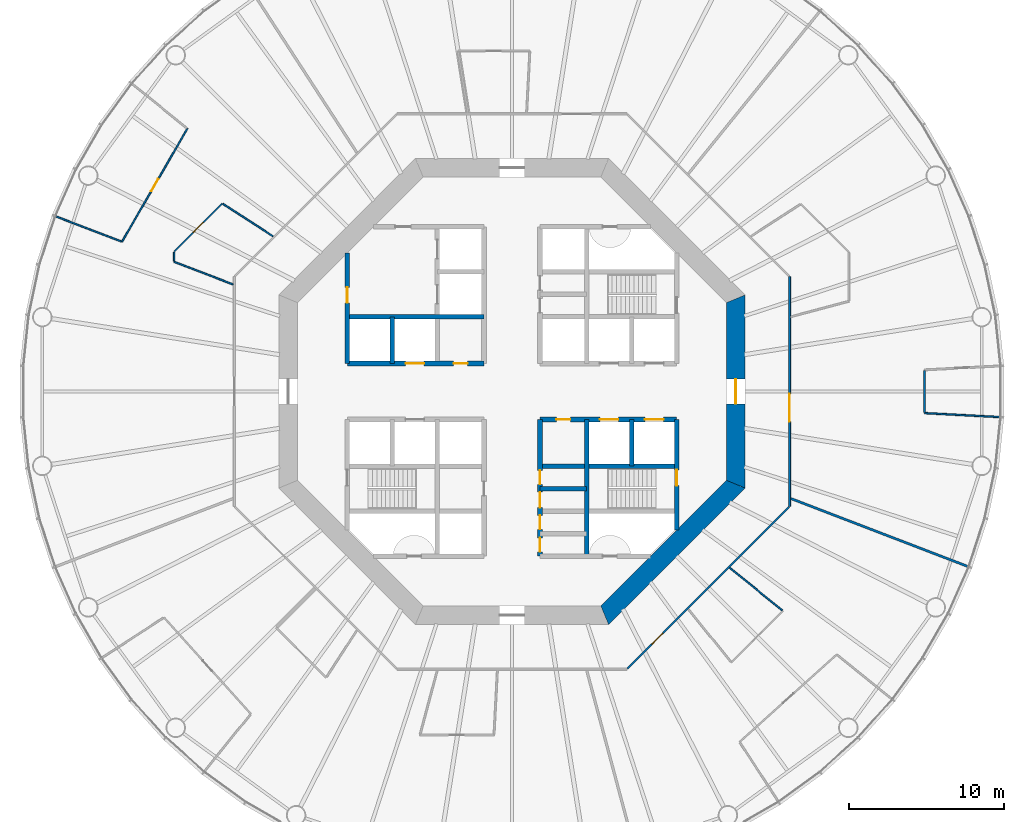
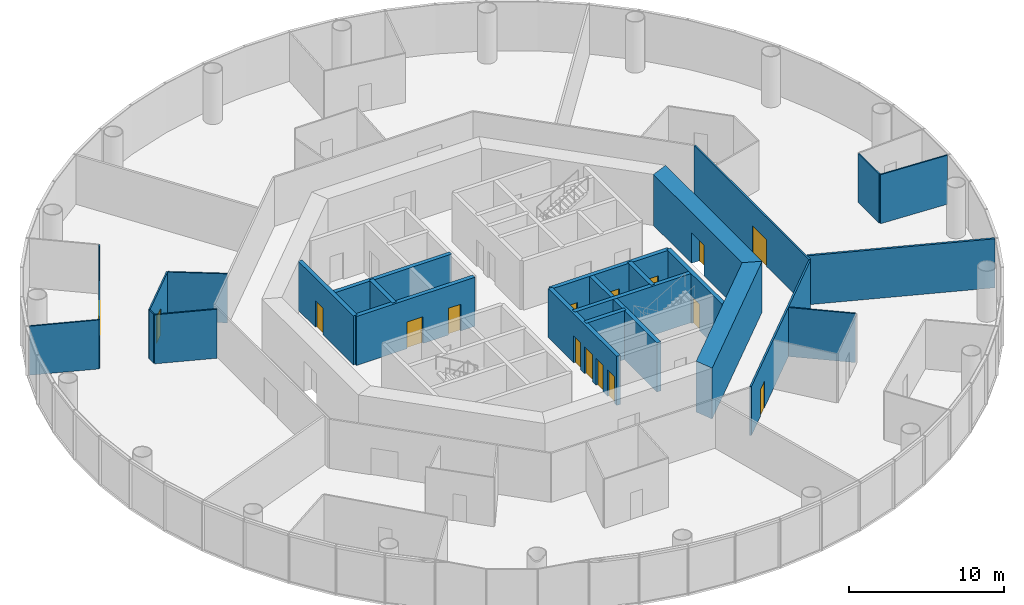
# One storey, part 4 of 13: 25 walls, 16 doors, 16 openings.
"""IFC4 building model written with IfcOpenShell, lengths in metres."""

import ifcopenshell
import ifcopenshell.guid

model = None  # the IFC model being written
_history = None  # IfcOwnerHistory: only IFC2X3 demands one
_inside = {}  # id of a spatial element -> (the spatial element, [elements in it])
_under = {}  # id of a project, library or spatial element -> (it, [spatial elements below it])
_declared = {}  # id of a project -> (the project, [libraries it declares])
_typed = {}  # id of a type object -> (the type object, [elements of that type])
_made_of = {}  # id of a material, layer set ... -> (it, [elements and type objects made of it])


def new_model(schema):
    """Start an empty IFC model of exactly this schema.

    Asked for "IFC4X3", IfcOpenShell would pick the latest addendum, in which some entities
    have other attributes; the version numbers below select the first issue.
    IFC2X3 requires an IfcOwnerHistory on every rooted entity: one is made here for all.
    """
    global model, _history
    if schema == "IFC4X3":
        model = ifcopenshell.file(schema_version=(4, 3, 0, 0))
    else:
        model = ifcopenshell.file(schema=schema)
    _inside.clear()
    _under.clear()
    _declared.clear()
    _typed.clear()
    _made_of.clear()
    _history = None
    if model.schema == "IFC2X3":
        org = make("IfcOrganization", Name="unknown")
        user = make(
            "IfcPersonAndOrganization",
            ThePerson=make("IfcPerson", FamilyName="unknown"),
            TheOrganization=org,
        )
        app = make(
            "IfcApplication",
            ApplicationDeveloper=org,
            Version="unknown",
            ApplicationFullName="unknown",
            ApplicationIdentifier="unknown",
        )
        _history = make(
            "IfcOwnerHistory",
            OwningUser=user,
            OwningApplication=app,
            ChangeAction="ADDED",
            CreationDate=0,
        )
    return model


def make(cls, **values):
    """One entity of the class cls with the attributes given. An attribute that is None is left unset."""
    return model.create_entity(
        cls, **{name: value for name, value in values.items() if value is not None}
    )


def rooted(cls, **values):
    """An entity with a GlobalId (a new one), such as an element, a storey or a relation."""
    return make(cls, GlobalId=ifcopenshell.guid.new(), OwnerHistory=_history, **values)


def si_unit(unit_type, name, prefix=None):
    """IfcSIUnit, for example si_unit("LENGTHUNIT", "METRE", prefix="MILLI")."""
    return make("IfcSIUnit", UnitType=unit_type, Prefix=prefix, Name=name)


def assignment(units):
    """IfcUnitAssignment: the units of a project."""
    return None if units is None else make("IfcUnitAssignment", Units=units)


def point(xyz):
    """IfcCartesianPoint."""
    return None if xyz is None else make("IfcCartesianPoint", Coordinates=xyz)


def direction(xyz):
    """IfcDirection."""
    return None if xyz is None else make("IfcDirection", DirectionRatios=xyz)


def frame(location, z_axis=None, x_axis=None):
    """IfcAxis2Placement3D, a coordinate frame: its origin and axes. An axis left out is left unset."""
    return make(
        "IfcAxis2Placement3D",
        Location=point(location),
        Axis=direction(z_axis),
        RefDirection=direction(x_axis),
    )


def frame_2d(location, x_axis=None):
    """IfcAxis2Placement2D, a coordinate frame in the plane: its origin and x axis."""
    return make(
        "IfcAxis2Placement2D", Location=point(location), RefDirection=direction(x_axis)
    )


def origin():
    """The frame at (0, 0, 0) with its axes left unset."""
    return frame((0.0, 0.0, 0.0))


def place(relative_to, where):
    """IfcLocalPlacement: puts the frame where relative to a parent placement (None: the world)."""
    return make(
        "IfcLocalPlacement", PlacementRelTo=relative_to, RelativePlacement=where
    )


def context(
    kind, dimensions, precision=None, world=None, true_north=None, identifier=None
):
    """IfcGeometricRepresentationContext, for example the 3D "Model" context."""
    return make(
        "IfcGeometricRepresentationContext",
        ContextIdentifier=identifier,
        ContextType=kind,
        CoordinateSpaceDimension=dimensions,
        Precision=precision,
        WorldCoordinateSystem=world,
        TrueNorth=true_north,
    )


def subcontext(parent, identifier, kind, view, scale=None):
    """IfcGeometricRepresentationSubContext, for example "Body" below "Model"."""
    return make(
        "IfcGeometricRepresentationSubContext",
        ContextIdentifier=identifier,
        ContextType=kind,
        ParentContext=parent,
        TargetScale=scale,
        TargetView=view,
    )


def project(units=None, contexts=None):
    """IfcProject with its units and contexts."""
    return rooted(
        "IfcProject",
        Name="project",
        RepresentationContexts=contexts,
        UnitsInContext=assignment(units),
    )


def spatial(cls, under=None, at=None, **own):
    """A site, building, storey or space (cls), placed at a placement, below another one or the project."""
    s = rooted(cls, ObjectPlacement=at, **own)
    if under is not None:
        _under.setdefault(under.id(), (under, []))[1].append(s)
    return s


def polyline(points):
    """IfcPolyline through the points."""
    return make("IfcPolyline", Points=[point(p) for p in points])


def profile(cls, at=None, kind="AREA", **sizes):
    """A parametric profile (cls). Its sizes go by their IFC names, for example OverallWidth=200.0."""
    return make(cls, ProfileType=kind, Position=at, **sizes)


def rectangle(**sizes):
    """IfcRectangleProfileDef."""
    return profile("IfcRectangleProfileDef", **sizes)


def outline(outer, holes=None, kind="AREA"):
    """IfcArbitraryClosedProfileDef: a profile drawn as a closed curve; with holes, ...WithVoids."""
    if holes is None:
        return make("IfcArbitraryClosedProfileDef", ProfileType=kind, OuterCurve=outer)
    return make(
        "IfcArbitraryProfileDefWithVoids",
        ProfileType=kind,
        OuterCurve=outer,
        InnerCurves=holes,
    )


def extrude(swept, where, along, depth):
    """IfcExtrudedAreaSolid: the profile swept, set in the frame where, extruded along a direction by depth."""
    return make(
        "IfcExtrudedAreaSolid",
        SweptArea=swept,
        Position=where,
        ExtrudedDirection=direction(along),
        Depth=depth,
    )


def shape(context_of_items, identifier, shape_type, items):
    """IfcShapeRepresentation: the items that make up one representation, for example the "Body"."""
    return make(
        "IfcShapeRepresentation",
        ContextOfItems=context_of_items,
        RepresentationIdentifier=identifier,
        RepresentationType=shape_type,
        Items=items,
    )


def material(Name=None, Category=None):
    """IfcMaterial."""
    return make("IfcMaterial", Name=Name, Category=Category)


def layer(
    of_material, thickness, ventilated=None, Name=None, Category=None, Priority=None
):
    """IfcMaterialLayer: one layer of a wall or slab, of a material (None: an air gap)."""
    return make(
        "IfcMaterialLayer",
        Material=of_material,
        LayerThickness=thickness,
        IsVentilated=ventilated,
        Name=Name,
        Category=Category,
        Priority=Priority,
    )


def layer_set(layers, Name=None):
    """IfcMaterialLayerSet."""
    return make("IfcMaterialLayerSet", MaterialLayers=layers, LayerSetName=Name)


def made_of(thing, what):
    """Note that an element or type object is made of a material, layer set ...; save() writes the relation."""
    if what is not None:
        _made_of.setdefault(what.id(), (what, []))[1].append(thing)
    return thing


def type_object(cls, material=None, **own):
    """A type object (cls), such as IfcWallType, which elements share."""
    return made_of(rooted(cls, **own), material)


def element(
    cls,
    number,
    at=None,
    inside=None,
    cuts=None,
    type_object=None,
    material=None,
    context=None,
    identifier="Body",
    shape_type=None,
    held_by="IfcProductDefinitionShape",
    body=None,
    shapes=None,
    **own,
):
    """One element of the class cls, such as IfcWall. Its Tag is "e" and its number.

    at: its placement. inside: the storey or other place that contains it. cuts: it is an
    opening in that element (IfcRelVoidsElement). A single representation is given by context,
    identifier, shape_type and body (its items); several are given by shapes. held_by: the class
    of the entity that holds the representations. save() writes the other relations.
    """
    e = rooted(cls, Tag="e%d" % number, ObjectPlacement=at, **own)
    if body is not None:
        shapes = [shape(context, identifier, shape_type, body)]
    if shapes is not None:
        e.Representation = make(held_by, Representations=shapes)
    if inside is not None:
        _inside.setdefault(inside.id(), (inside, []))[1].append(e)
    if cuts is not None:
        rooted(
            "IfcRelVoidsElement", RelatingBuildingElement=cuts, RelatedOpeningElement=e
        )
    if type_object is not None:
        _typed.setdefault(type_object.id(), (type_object, []))[1].append(e)
    return made_of(e, material)


def fill(opening, filler):
    """IfcRelFillsElement: the door or window that sits in an opening."""
    return rooted(
        "IfcRelFillsElement",
        RelatingOpeningElement=opening,
        RelatedBuildingElement=filler,
    )


def aggregate(whole, parts):
    """IfcRelAggregates: a whole, such as a stair, and the parts it consists of."""
    return rooted("IfcRelAggregates", RelatingObject=whole, RelatedObjects=parts)


def save(model, path):
    """Write the relations noted so far, then the file.

    IfcRelAggregates (storeys below a building ...), IfcRelContainedInSpatialStructure (elements
    in a storey), IfcRelDefinesByType, IfcRelAssociatesMaterial and IfcRelDeclares: one each for
    every whole, place, type object, material and project.
    """
    for whole, parts in _under.values():
        aggregate(whole, parts)
    for where, things in _inside.values():
        rooted(
            "IfcRelContainedInSpatialStructure",
            RelatedElements=things,
            RelatingStructure=where,
        )
    for kind, things in _typed.values():
        rooted("IfcRelDefinesByType", RelatedObjects=things, RelatingType=kind)
    for what, things in _made_of.values():
        rooted("IfcRelAssociatesMaterial", RelatedObjects=things, RelatingMaterial=what)
    for by, libraries in _declared.values():
        rooted("IfcRelDeclares", RelatingContext=by, RelatedDefinitions=libraries)
    model.write(path)


model = new_model("IFC4")

# Units and contexts
model_context = context("Model", 3, precision=1e-05, world=origin(), true_north=direction((0.0, 1.0)))
body_context = subcontext(model_context, "Body", "Model", "MODEL_VIEW")
ifc_project = project(units=[si_unit("LENGTHUNIT", "METRE"), si_unit("AREAUNIT", "SQUARE_METRE"), si_unit("VOLUMEUNIT", "CUBIC_METRE"), si_unit("PLANEANGLEUNIT", "RADIAN"), si_unit("MASSUNIT", "GRAM", prefix="KILO")], contexts=[model_context])

# Site, building, storey
site_placement = place(None, origin())
site = spatial("IfcSite", under=ifc_project, at=site_placement, CompositionType="ELEMENT")
building_placement = place(site_placement, origin())
building = spatial("IfcBuilding", under=site, at=building_placement, Name="Entoto Ring Tower", CompositionType="ELEMENT")
storey_placement = place(building_placement, frame((0.0, 0.0, 120.0)))
storey = spatial("IfcBuildingStorey", under=building, at=storey_placement, Name="L27", CompositionType="ELEMENT", Elevation=120.0)

# Wall, opening, door
ifc_material_1 = material(Name="Concrete C40/50", Category="concrete")
ifc_layer_1 = layer(ifc_material_1, 0.300048828125)
ifc_layer_set_1 = layer_set([ifc_layer_1], Name="Concrete C40/50")
wall_type_1 = type_object("IfcWallType", Name="Core enclosure wall 300 mm reinforced concrete", PredefinedType="SOLIDWALL", material=ifc_layer_set_1)
wall_1_placement = place(storey_placement, frame((100.60009765625, 71.083984375, 0.0), z_axis=(0.0, 0.0, 1.0), x_axis=(0.0, 1.0, 0.0)))
wall_1 = element("IfcWall", 1, at=wall_1_placement, inside=storey, type_object=wall_type_1, Name="wall-L27-001", PredefinedType="SOLIDWALL", context=body_context, shape_type="SweptSolid", body=[
    extrude(rectangle(XDim=7.115966796875, YDim=0.300048828125, at=frame_2d((3.55810546875, 0.0))), origin(), (0.0, 0.0, 1.0), 3.85009765625),
])
opening_1_placement = place(wall_1_placement, frame((2.8662109375, 0.0, 0.0)))
opening_1 = element("IfcOpeningElement", 2, at=opening_1_placement, cuts=wall_1, Name="Opening K-22", PredefinedType="OPENING", context=body_context, shape_type="SweptSolid", body=[
    extrude(rectangle(XDim=1.0, YDim=2.10009765625, at=frame_2d((0.5, 1.050048828125))), frame((0.0, 0.16015625, 0.0), z_axis=(0.0, -1.0, 0.0), x_axis=(1.0, 0.0, 0.0)), (0.0, 0.0, 1.0), 0.320068359375),
])
ifc_material_2 = material(Name="Steel door leaf, fire rated", Category="steel")
ifc_layer_2 = layer(ifc_material_2, 0.050048828125)
ifc_layer_set_2 = layer_set([ifc_layer_2], Name="Steel door leaf, fire rated")
door_type_1 = type_object("IfcDoorType", Name="Fire door FD60 1000 x 2100 single leaf", OperationType="NOTDEFINED", PredefinedType="DOOR", material=ifc_layer_set_2)
door_1_placement = place(opening_1_placement, origin())
door_1 = element("IfcDoor", 3, at=door_1_placement, inside=storey, type_object=door_type_1, Name="Door K-22", OperationType="SINGLE_SWING_RIGHT", OverallHeight=2.10009765625, OverallWidth=1.0, PredefinedType="DOOR", context=body_context, shape_type="SweptSolid", body=[
    extrude(rectangle(XDim=1.0, YDim=2.10009765625, at=frame_2d((0.5, 1.050048828125))), frame((0.0, 0.02490234375, 0.0), z_axis=(0.0, -1.0, 0.0), x_axis=(1.0, 0.0, 0.0)), (0.0, 0.0, 1.0), 0.050048828125),
])
fill(opening_1, door_1)

# Walls
wall_2_placement = place(storey_placement, frame((97.699951171875, 75.199951171875, 0.0), z_axis=(0.0, 0.0, 1.0), x_axis=(0.0, 1.0, 0.0)))
element("IfcWall", 4, at=wall_2_placement, inside=storey, type_object=wall_type_1, Name="wall-L27-003", PredefinedType="SOLIDWALL", context=body_context, shape_type="SweptSolid", body=[
    extrude(rectangle(XDim=3.0, YDim=0.300048828125, at=frame_2d((1.5, 0.0))), origin(), (0.0, 0.0, 1.0), 3.85009765625),
])
wall_3_placement = place(storey_placement, frame((94.800048828125, 69.39990234375, 0.0), z_axis=(0.0, 0.0, 1.0), x_axis=(0.0, 1.0, 0.0)))
element("IfcWall", 5, at=wall_3_placement, inside=storey, type_object=wall_type_1, Name="wall-L27-005", PredefinedType="SOLIDWALL", context=body_context, shape_type="SweptSolid", body=[
    extrude(rectangle(XDim=8.800048828125, YDim=0.300048828125, at=frame_2d((4.39990234375, 0.0))), origin(), (0.0, 0.0, 1.0), 3.85009765625),
])

# Wall, openings, doors
wall_4_placement = place(storey_placement, frame((91.800048828125, 69.39990234375, 0.0), z_axis=(0.0, 0.0, 1.0), x_axis=(0.0, 1.0, 0.0)))
wall_4 = element("IfcWall", 6, at=wall_4_placement, inside=storey, type_object=wall_type_1, Name="wall-L27-007", PredefinedType="SOLIDWALL", context=body_context, shape_type="SweptSolid", body=[
    extrude(rectangle(XDim=8.800048828125, YDim=0.300048828125, at=frame_2d((4.39990234375, 0.0))), origin(), (0.0, 0.0, 1.0), 3.85009765625),
])
opening_2_placement = place(wall_4_placement, frame((3.125, 0.0, 0.0)))
opening_2 = element("IfcOpeningElement", 7, at=opening_2_placement, cuts=wall_4, Name="Opening K-13", PredefinedType="OPENING", context=body_context, shape_type="SweptSolid", body=[
    extrude(rectangle(XDim=1.0, YDim=2.10009765625, at=frame_2d((0.5, 1.050048828125))), frame((0.0, 0.16015625, 0.0), z_axis=(0.0, -1.0, 0.0), x_axis=(1.0, 0.0, 0.0)), (0.0, 0.0, 1.0), 0.320068359375),
])
opening_3_placement = place(wall_4_placement, frame((4.625, 0.0, 0.0)))
opening_3 = element("IfcOpeningElement", 8, at=opening_3_placement, cuts=wall_4, Name="Opening K-14", PredefinedType="OPENING", context=body_context, shape_type="SweptSolid", body=[
    extrude(rectangle(XDim=0.89990234375, YDim=2.10009765625, at=frame_2d((0.449951171875, 1.050048828125))), frame((0.0, 0.16015625, 0.0), z_axis=(0.0, -1.0, 0.0), x_axis=(1.0, 0.0, 0.0)), (0.0, 0.0, 1.0), 0.320068359375),
])
opening_4_placement = place(wall_4_placement, frame((0.27490234375, 0.0, 0.0)))
opening_4 = element("IfcOpeningElement", 9, at=opening_4_placement, cuts=wall_4, Name="Opening K-15", PredefinedType="OPENING", context=body_context, shape_type="SweptSolid", body=[
    extrude(rectangle(XDim=0.89990234375, YDim=2.10009765625, at=frame_2d((0.449951171875, 1.050048828125))), frame((0.0, 0.16015625, 0.0), z_axis=(0.0, -1.0, 0.0), x_axis=(1.0, 0.0, 0.0)), (0.0, 0.0, 1.0), 0.320068359375),
])
opening_5_placement = place(wall_4_placement, frame((1.72509765625, 0.0, 0.0)))
opening_5 = element("IfcOpeningElement", 10, at=opening_5_placement, cuts=wall_4, Name="Opening K-16", PredefinedType="OPENING", context=body_context, shape_type="SweptSolid", body=[
    extrude(rectangle(XDim=0.89990234375, YDim=2.10009765625, at=frame_2d((0.449951171875, 1.050048828125))), frame((0.0, 0.16015625, 0.0), z_axis=(0.0, -1.0, 0.0), x_axis=(1.0, 0.0, 0.0)), (0.0, 0.0, 1.0), 0.320068359375),
])
ifc_material_3 = material(Name="Steel door leaf, fire rated", Category="steel")
ifc_layer_3 = layer(ifc_material_3, 0.050048828125)
ifc_layer_set_3 = layer_set([ifc_layer_3], Name="Steel door leaf, fire rated")
door_type_2 = type_object("IfcDoorType", Name="Accessible door 1000 x 2100 single leaf", OperationType="NOTDEFINED", PredefinedType="DOOR", material=ifc_layer_set_3)
door_2_placement = place(opening_2_placement, frame((1.0, 0.0, 0.0), z_axis=(0.0, 0.0, 1.0), x_axis=(-1.0, 0.0, 0.0)))
door_2 = element("IfcDoor", 11, at=door_2_placement, inside=storey, type_object=door_type_2, Name="Door K-13", OperationType="SINGLE_SWING_LEFT", OverallHeight=2.10009765625, OverallWidth=1.0, PredefinedType="DOOR", context=body_context, shape_type="SweptSolid", body=[
    extrude(rectangle(XDim=1.0, YDim=2.10009765625, at=frame_2d((0.5, 1.050048828125))), frame((0.0, 0.02490234375, 0.0), z_axis=(0.0, -1.0, 0.0), x_axis=(1.0, 0.0, 0.0)), (0.0, 0.0, 1.0), 0.050048828125),
])
fill(opening_2, door_2)
ifc_material_4 = material(Name="Steel door leaf, fire rated", Category="steel")
ifc_layer_4 = layer(ifc_material_4, 0.050048828125)
ifc_layer_set_4 = layer_set([ifc_layer_4], Name="Steel door leaf, fire rated")
door_type_3 = type_object("IfcDoorType", Name="Core door 900 x 2100 single leaf", OperationType="NOTDEFINED", PredefinedType="DOOR", material=ifc_layer_set_4)
door_3_placement = place(opening_3_placement, frame((0.89990234375, 0.0, 0.0), z_axis=(0.0, 0.0, 1.0), x_axis=(-1.0, 0.0, 0.0)))
door_3 = element("IfcDoor", 12, at=door_3_placement, inside=storey, type_object=door_type_3, Name="Door K-14", OperationType="SINGLE_SWING_LEFT", OverallHeight=2.10009765625, OverallWidth=0.89990234375, PredefinedType="DOOR", context=body_context, shape_type="SweptSolid", body=[
    extrude(rectangle(XDim=0.89990234375, YDim=2.10009765625, at=frame_2d((0.449951171875, 1.050048828125))), frame((0.0, 0.02490234375, 0.0), z_axis=(0.0, -1.0, 0.0), x_axis=(1.0, 0.0, 0.0)), (0.0, 0.0, 1.0), 0.050048828125),
])
fill(opening_3, door_3)
door_4_placement = place(opening_4_placement, frame((0.89990234375, 0.0, 0.0), z_axis=(0.0, 0.0, 1.0), x_axis=(-1.0, 0.0, 0.0)))
door_4 = element("IfcDoor", 13, at=door_4_placement, inside=storey, type_object=door_type_3, Name="Door K-15", OperationType="SINGLE_SWING_LEFT", OverallHeight=2.10009765625, OverallWidth=0.89990234375, PredefinedType="DOOR", context=body_context, shape_type="SweptSolid", body=[
    extrude(rectangle(XDim=0.89990234375, YDim=2.10009765625, at=frame_2d((0.449951171875, 1.050048828125))), frame((0.0, 0.02490234375, 0.0), z_axis=(0.0, -1.0, 0.0), x_axis=(1.0, 0.0, 0.0)), (0.0, 0.0, 1.0), 0.050048828125),
])
fill(opening_4, door_4)
door_5_placement = place(opening_5_placement, frame((0.89990234375, 0.0, 0.0), z_axis=(0.0, 0.0, 1.0), x_axis=(-1.0, 0.0, 0.0)))
door_5 = element("IfcDoor", 14, at=door_5_placement, inside=storey, type_object=door_type_3, Name="Door K-16", OperationType="SINGLE_SWING_LEFT", OverallHeight=2.10009765625, OverallWidth=0.89990234375, PredefinedType="DOOR", context=body_context, shape_type="SweptSolid", body=[
    extrude(rectangle(XDim=0.89990234375, YDim=2.10009765625, at=frame_2d((0.449951171875, 1.050048828125))), frame((0.0, 0.02490234375, 0.0), z_axis=(0.0, -1.0, 0.0), x_axis=(1.0, 0.0, 0.0)), (0.0, 0.0, 1.0), 0.050048828125),
])
fill(opening_5, door_5)

# Wall
wall_5_placement = place(storey_placement, frame((82.300048828125, 81.800048828125, 0.0), z_axis=(0.0, 0.0, 1.0), x_axis=(0.0, 1.0, 0.0)))
element("IfcWall", 15, at=wall_5_placement, inside=storey, type_object=wall_type_1, Name="wall-L27-014", PredefinedType="SOLIDWALL", context=body_context, shape_type="SweptSolid", body=[
    extrude(rectangle(XDim=3.0, YDim=0.300048828125, at=frame_2d((1.5, 0.0))), origin(), (0.0, 0.0, 1.0), 3.85009765625),
])

# Wall, opening, door
wall_6_placement = place(storey_placement, frame((79.39990234375, 81.800048828125, 0.0), z_axis=(0.0, 0.0, 1.0), x_axis=(0.0, 1.0, 0.0)))
wall_6 = element("IfcWall", 16, at=wall_6_placement, inside=storey, type_object=wall_type_1, Name="wall-L27-016", PredefinedType="SOLIDWALL", context=body_context, shape_type="SweptSolid", body=[
    extrude(rectangle(XDim=7.115966796875, YDim=0.300048828125, at=frame_2d((3.55810546875, 0.0))), origin(), (0.0, 0.0, 1.0), 3.85009765625),
])
opening_6_placement = place(wall_6_placement, frame((3.89990234375, 0.0, 0.0)))
opening_6 = element("IfcOpeningElement", 17, at=opening_6_placement, cuts=wall_6, Name="Opening K-26", PredefinedType="OPENING", context=body_context, shape_type="SweptSolid", body=[
    extrude(rectangle(XDim=1.0, YDim=2.10009765625, at=frame_2d((0.5, 1.050048828125))), frame((0.0, 0.16015625, 0.0), z_axis=(0.0, -1.0, 0.0), x_axis=(1.0, 0.0, 0.0)), (0.0, 0.0, 1.0), 0.320068359375),
])
door_6_placement = place(opening_6_placement, frame((1.0, 0.0, 0.0), z_axis=(0.0, 0.0, 1.0), x_axis=(-1.0, 0.0, 0.0)))
door_6 = element("IfcDoor", 18, at=door_6_placement, inside=storey, type_object=door_type_1, Name="Door K-26", OperationType="SINGLE_SWING_LEFT", OverallHeight=2.10009765625, OverallWidth=1.0, PredefinedType="DOOR", context=body_context, shape_type="SweptSolid", body=[
    extrude(rectangle(XDim=1.0, YDim=2.10009765625, at=frame_2d((0.5, 1.050048828125))), frame((0.0, 0.02490234375, 0.0), z_axis=(0.0, -1.0, 0.0), x_axis=(1.0, 0.0, 0.0)), (0.0, 0.0, 1.0), 0.050048828125),
])
fill(opening_6, door_6)

# Walls
wall_7_placement = place(storey_placement, frame((91.800048828125, 73.75, 0.0), z_axis=(0.0, 0.0, 1.0), x_axis=(1.0, 0.0, 0.0)))
element("IfcWall", 19, at=wall_7_placement, inside=storey, type_object=wall_type_1, Name="wall-L27-022", PredefinedType="SOLIDWALL", context=body_context, shape_type="SweptSolid", body=[
    extrude(rectangle(XDim=3.0, YDim=0.300048828125, at=frame_2d((1.5, 0.0))), origin(), (0.0, 0.0, 1.0), 3.85009765625),
])
wall_8_placement = place(storey_placement, frame((91.800048828125, 75.199951171875, 0.0), z_axis=(0.0, 0.0, 1.0), x_axis=(1.0, 0.0, 0.0)))
element("IfcWall", 20, at=wall_8_placement, inside=storey, type_object=wall_type_1, Name="wall-L27-024", PredefinedType="SOLIDWALL", context=body_context, shape_type="SweptSolid", body=[
    extrude(rectangle(XDim=8.800048828125, YDim=0.300048828125, at=frame_2d((4.39990234375, 0.0))), origin(), (0.0, 0.0, 1.0), 3.85009765625),
])

# Wall, openings, doors
wall_9_placement = place(storey_placement, frame((91.800048828125, 78.199951171875, 0.0), z_axis=(0.0, 0.0, 1.0), x_axis=(1.0, 0.0, 0.0)))
wall_9 = element("IfcWall", 21, at=wall_9_placement, inside=storey, type_object=wall_type_1, Name="wall-L27-026", PredefinedType="SOLIDWALL", context=body_context, shape_type="SweptSolid", body=[
    extrude(rectangle(XDim=8.800048828125, YDim=0.300048828125, at=frame_2d((4.39990234375, 0.0))), origin(), (0.0, 0.0, 1.0), 3.85009765625),
])
opening_7_placement = place(wall_9_placement, frame((3.85009765625, 0.0, 0.0)))
opening_7 = element("IfcOpeningElement", 22, at=opening_7_placement, cuts=wall_9, Name="Opening LD", PredefinedType="OPENING", context=body_context, shape_type="SweptSolid", body=[
    extrude(rectangle(XDim=1.199951171875, YDim=2.10009765625, at=frame_2d((0.60009765625, 1.050048828125))), frame((0.0, 0.16015625, 0.0), z_axis=(0.0, -1.0, 0.0), x_axis=(1.0, 0.0, 0.0)), (0.0, 0.0, 1.0), 0.320068359375),
])
opening_8_placement = place(wall_9_placement, frame((6.75, 0.0, 0.0)))
opening_8 = element("IfcOpeningElement", 23, at=opening_8_placement, cuts=wall_9, Name="Opening LD", PredefinedType="OPENING", context=body_context, shape_type="SweptSolid", body=[
    extrude(rectangle(XDim=1.199951171875, YDim=2.10009765625, at=frame_2d((0.60009765625, 1.050048828125))), frame((0.0, 0.16015625, 0.0), z_axis=(0.0, -1.0, 0.0), x_axis=(1.0, 0.0, 0.0)), (0.0, 0.0, 1.0), 0.320068359375),
])
opening_9_placement = place(wall_9_placement, frame((1.050048828125, 0.0, 0.0)))
opening_9 = element("IfcOpeningElement", 24, at=opening_9_placement, cuts=wall_9, Name="Opening K-19", PredefinedType="OPENING", context=body_context, shape_type="SweptSolid", body=[
    extrude(rectangle(XDim=0.89990234375, YDim=2.10009765625, at=frame_2d((0.449951171875, 1.050048828125))), frame((0.0, 0.16015625, 0.0), z_axis=(0.0, -1.0, 0.0), x_axis=(1.0, 0.0, 0.0)), (0.0, 0.0, 1.0), 0.320068359375),
])
door_7_placement = place(opening_9_placement, frame((0.89990234375, 0.0, 0.0), z_axis=(0.0, 0.0, 1.0), x_axis=(-1.0, 0.0, 0.0)))
door_7 = element("IfcDoor", 25, at=door_7_placement, inside=storey, type_object=door_type_3, Name="Door K-19", OperationType="SINGLE_SWING_RIGHT", OverallHeight=2.10009765625, OverallWidth=0.89990234375, PredefinedType="DOOR", context=body_context, shape_type="SweptSolid", body=[
    extrude(rectangle(XDim=0.89990234375, YDim=2.10009765625, at=frame_2d((0.449951171875, 1.050048828125))), frame((0.0, 0.02490234375, 0.0), z_axis=(0.0, -1.0, 0.0), x_axis=(1.0, 0.0, 0.0)), (0.0, 0.0, 1.0), 0.050048828125),
])
fill(opening_9, door_7)
ifc_material_5 = material(Name="Steel and glass door leaf", Category="steel")
ifc_layer_5 = layer(ifc_material_5, 0.050048828125)
ifc_layer_set_5 = layer_set([ifc_layer_5], Name="Steel and glass door leaf")
door_type_4 = type_object("IfcDoorType", Name="Landing door 1200 x 2100 sliding", OperationType="DOUBLE_DOOR_SLIDING", PredefinedType="DOOR", material=ifc_layer_set_5)
door_8_placement = place(opening_7_placement, origin())
door_8 = element("IfcDoor", 26, at=door_8_placement, inside=storey, type_object=door_type_4, Name="Landing door LB4-LR", OperationType="SLIDING_TO_RIGHT", OverallHeight=2.10009765625, OverallWidth=1.199951171875, PredefinedType="DOOR", context=body_context, shape_type="SweptSolid", body=[
    extrude(rectangle(XDim=1.199951171875, YDim=2.10009765625, at=frame_2d((0.60009765625, 1.050048828125))), frame((0.0, 0.02490234375, 0.0), z_axis=(0.0, -1.0, 0.0), x_axis=(1.0, 0.0, 0.0)), (0.0, 0.0, 1.0), 0.050048828125),
])
fill(opening_7, door_8)
door_9_placement = place(opening_8_placement, origin())
door_9 = element("IfcDoor", 27, at=door_9_placement, inside=storey, type_object=door_type_4, Name="Landing door LB5-LR", OperationType="SLIDING_TO_RIGHT", OverallHeight=2.10009765625, OverallWidth=1.199951171875, PredefinedType="DOOR", context=body_context, shape_type="SweptSolid", body=[
    extrude(rectangle(XDim=1.199951171875, YDim=2.10009765625, at=frame_2d((0.60009765625, 1.050048828125))), frame((0.0, 0.02490234375, 0.0), z_axis=(0.0, -1.0, 0.0), x_axis=(1.0, 0.0, 0.0)), (0.0, 0.0, 1.0), 0.050048828125),
])
fill(opening_8, door_9)

wall_10_placement = place(storey_placement, frame((79.39990234375, 81.800048828125, 0.0), z_axis=(0.0, 0.0, 1.0), x_axis=(1.0, 0.0, 0.0)))
wall_10 = element("IfcWall", 28, at=wall_10_placement, inside=storey, type_object=wall_type_1, Name="wall-L27-027", PredefinedType="SOLIDWALL", context=body_context, shape_type="SweptSolid", body=[
    extrude(rectangle(XDim=8.800048828125, YDim=0.300048828125, at=frame_2d((4.39990234375, 0.0))), origin(), (0.0, 0.0, 1.0), 3.85009765625),
])
opening_10_placement = place(wall_10_placement, frame((3.75, 0.0, 0.0)))
opening_10 = element("IfcOpeningElement", 29, at=opening_10_placement, cuts=wall_10, Name="Opening LD", PredefinedType="OPENING", context=body_context, shape_type="SweptSolid", body=[
    extrude(rectangle(XDim=1.199951171875, YDim=2.10009765625, at=frame_2d((0.60009765625, 1.050048828125))), frame((0.0, 0.16015625, 0.0), z_axis=(0.0, -1.0, 0.0), x_axis=(1.0, 0.0, 0.0)), (0.0, 0.0, 1.0), 0.320068359375),
])
opening_11_placement = place(wall_10_placement, frame((6.85009765625, 0.0, 0.0)))
opening_11 = element("IfcOpeningElement", 30, at=opening_11_placement, cuts=wall_10, Name="Opening K-18", PredefinedType="OPENING", context=body_context, shape_type="SweptSolid", body=[
    extrude(rectangle(XDim=0.89990234375, YDim=2.10009765625, at=frame_2d((0.449951171875, 1.050048828125))), frame((0.0, 0.16015625, 0.0), z_axis=(0.0, -1.0, 0.0), x_axis=(1.0, 0.0, 0.0)), (0.0, 0.0, 1.0), 0.320068359375),
])
door_10_placement = place(opening_11_placement, frame((0.89990234375, 0.0, 0.0), z_axis=(0.0, 0.0, 1.0), x_axis=(-1.0, 0.0, 0.0)))
door_10 = element("IfcDoor", 31, at=door_10_placement, inside=storey, type_object=door_type_3, Name="Door K-18", OperationType="SINGLE_SWING_RIGHT", OverallHeight=2.10009765625, OverallWidth=0.89990234375, PredefinedType="DOOR", context=body_context, shape_type="SweptSolid", body=[
    extrude(rectangle(XDim=0.89990234375, YDim=2.10009765625, at=frame_2d((0.449951171875, 1.050048828125))), frame((0.0, 0.02490234375, 0.0), z_axis=(0.0, -1.0, 0.0), x_axis=(1.0, 0.0, 0.0)), (0.0, 0.0, 1.0), 0.050048828125),
])
fill(opening_11, door_10)
door_11_placement = place(opening_10_placement, origin())
door_11 = element("IfcDoor", 32, at=door_11_placement, inside=storey, type_object=door_type_4, Name="Landing door LB3-LR", OperationType="SLIDING_TO_RIGHT", OverallHeight=2.10009765625, OverallWidth=1.199951171875, PredefinedType="DOOR", context=body_context, shape_type="SweptSolid", body=[
    extrude(rectangle(XDim=1.199951171875, YDim=2.10009765625, at=frame_2d((0.60009765625, 1.050048828125))), frame((0.0, 0.02490234375, 0.0), z_axis=(0.0, -1.0, 0.0), x_axis=(1.0, 0.0, 0.0)), (0.0, 0.0, 1.0), 0.050048828125),
])
fill(opening_10, door_11)

# Wall
wall_11_placement = place(storey_placement, frame((79.39990234375, 84.800048828125, 0.0), z_axis=(0.0, 0.0, 1.0), x_axis=(1.0, 0.0, 0.0)))
element("IfcWall", 33, at=wall_11_placement, inside=storey, type_object=wall_type_1, Name="wall-L27-029", PredefinedType="SOLIDWALL", context=body_context, shape_type="SweptSolid", body=[
    extrude(rectangle(XDim=8.800048828125, YDim=0.300048828125, at=frame_2d((4.39990234375, 0.0))), origin(), (0.0, 0.0, 1.0), 3.85009765625),
])

# Wall, opening, door
ifc_material_6 = material(Name="Concrete C60/75", Category="concrete")
ifc_layer_6 = layer(ifc_material_6, 1.199951171875)
ifc_layer_set_6 = layer_set([ifc_layer_6], Name="Concrete C60/75")
wall_type_2 = type_object("IfcWallType", Name="Core shear wall 1200 mm reinforced concrete C60/75", PredefinedType="SHEAR", material=ifc_layer_set_6)
wall_12_placement = place(storey_placement, frame((104.39990234375, 74.035400390625, 0.0), z_axis=(0.0, 0.0, 1.0), x_axis=(0.0, 1.0, 0.0)))
wall_12 = element("IfcWall", 34, at=wall_12_placement, inside=storey, type_object=wall_type_2, Name="wall-L27-core-0", PredefinedType="SHEAR", context=body_context, shape_type="SweptSolid", body=[
    extrude(outline(polyline([(-0.24853515625, -0.60009765625), (12.177734375, -0.60009765625), (11.6806640625, 0.60009765625), (0.24853515625, 0.60009765625), (-0.24853515625, -0.60009765625)])), origin(), (0.0, 0.0, 1.0), 4.0),
])
opening_12_placement = place(wall_12_placement, frame((5.164794921875, 0.0, 0.0)))
opening_12 = element("IfcOpeningElement", 35, at=opening_12_placement, cuts=wall_12, Name="Opening K-01", PredefinedType="OPENING", context=body_context, shape_type="SweptSolid", body=[
    extrude(rectangle(XDim=1.60009765625, YDim=2.39990234375, at=frame_2d((0.800048828125, 1.199951171875))), frame((0.0, 0.60986328125, 0.0), z_axis=(0.0, -1.0, 0.0), x_axis=(1.0, 0.0, 0.0)), (0.0, 0.0, 1.0), 1.219970703125),
])
ifc_material_7 = material(Name="Steel door leaf, fire rated", Category="steel")
ifc_layer_7 = layer(ifc_material_7, 0.050048828125)
ifc_layer_set_7 = layer_set([ifc_layer_7], Name="Steel door leaf, fire rated")
door_type_5 = type_object("IfcDoorType", Name="Entrance door FD60 1600 x 2400 double leaf", OperationType="DOUBLE_DOOR_SINGLE_SWING", PredefinedType="DOOR", material=ifc_layer_set_7)
door_12_placement = place(opening_12_placement, origin())
door_12 = element("IfcDoor", 36, at=door_12_placement, inside=storey, type_object=door_type_5, Name="Entrance door K-01", OperationType="DOUBLE_DOOR_SINGLE_SWING", OverallHeight=2.39990234375, OverallWidth=1.60009765625, PredefinedType="DOOR", context=body_context, shape_type="SweptSolid", body=[
    extrude(rectangle(XDim=1.60009765625, YDim=2.39990234375, at=frame_2d((0.800048828125, 1.199951171875))), frame((0.0, 0.02490234375, 0.0), z_axis=(0.0, -1.0, 0.0), x_axis=(1.0, 0.0, 0.0)), (0.0, 0.0, 1.0), 0.050048828125),
])
fill(opening_12, door_12)

# Wall
wall_13_placement = place(storey_placement, frame((95.964599609375, 65.60009765625, 0.0), z_axis=(0.0, 0.0, 1.0), x_axis=(0.707106781187, 0.707106781187, 0.0)))
element("IfcWall", 37, at=wall_13_placement, inside=storey, type_object=wall_type_2, Name="wall-L27-core-7", PredefinedType="SHEAR", context=body_context, shape_type="SweptSolid", body=[
    extrude(outline(polyline([(-0.24853515625, -0.60009765625), (12.177734375, -0.60009765625), (11.6806640625, 0.60009765625), (0.24853515625, 0.60009765625), (-0.24853515625, -0.60009765625)])), origin(), (0.0, 0.0, 1.0), 4.0),
])

# Wall, opening, door
ifc_material_8 = material(Name="Fire-resisting plasterboard on steel studs", Category="steel")
ifc_layer_8 = layer(ifc_material_8, 0.125)
ifc_layer_set_8 = layer_set([ifc_layer_8], Name="Fire-resisting plasterboard on steel studs")
wall_type_3 = type_object("IfcWallType", Name="Corridor wall 125 mm one-hour plasterboard on steel studs", PredefinedType="PARTITIONING", material=ifc_layer_set_8)
wall_14_placement = place(storey_placement, frame((107.862548828125, 72.60107421875, 0.0), z_axis=(0.0, 0.0, 1.0), x_axis=(0.0, 1.0, 0.0)))
wall_14 = element("IfcWall", 38, at=wall_14_placement, inside=storey, type_object=wall_type_3, Name="partition-L27-004", PredefinedType="PARTITIONING", context=body_context, shape_type="SweptSolid", body=[
    extrude(rectangle(XDim=14.7978515625, YDim=0.125, at=frame_2d((7.39892578125, 0.0))), origin(), (0.0, 0.0, 1.0), 3.85009765625),
])
opening_13_placement = place(wall_14_placement, frame((5.463623046875, 0.0, 0.0)))
opening_13 = element("IfcOpeningElement", 39, at=opening_13_placement, cuts=wall_14, Name="Opening A11-D01", PredefinedType="OPENING", context=body_context, shape_type="SweptSolid", body=[
    extrude(rectangle(XDim=1.800048828125, YDim=2.10009765625, at=frame_2d((0.89990234375, 1.050048828125))), frame((0.0, 0.072509765625, 0.0), z_axis=(0.0, -1.0, 0.0), x_axis=(1.0, 0.0, 0.0)), (0.0, 0.0, 1.0), 0.14501953125),
])
ifc_material_9 = material(Name="Fire-resisting timber door set", Category="wood")
door_type_6 = type_object("IfcDoorType", Name="Door 1800 x 2100 double leaf FD30S fire door", OperationType="DOUBLE_DOOR_SINGLE_SWING", PredefinedType="DOOR", material=ifc_material_9)
door_13_placement = place(opening_13_placement, frame((1.800048828125, 0.0, 0.0), z_axis=(0.0, 0.0, 1.0), x_axis=(-1.0, 0.0, 0.0)))
door_13 = element("IfcDoor", 40, at=door_13_placement, inside=storey, type_object=door_type_6, Name="Door A11-D01", OperationType="DOUBLE_DOOR_SINGLE_SWING", OverallHeight=2.10009765625, OverallWidth=1.800048828125, PredefinedType="DOOR", context=body_context, shape_type="SweptSolid", body=[
    extrude(rectangle(XDim=1.800048828125, YDim=2.10009765625, at=frame_2d((0.89990234375, 1.050048828125))), frame((0.0, 0.02490234375, 0.0), z_axis=(0.0, -1.0, 0.0), x_axis=(1.0, 0.0, 0.0)), (0.0, 0.0, 1.0), 0.050048828125),
])
fill(opening_13, door_13)

wall_15_placement = place(storey_placement, frame((97.429931640625, 62.168701171875, 0.0), z_axis=(0.0, 0.0, 1.0), x_axis=(0.707106781187, 0.707106781187, 0.0)))
wall_15 = element("IfcWall", 41, at=wall_15_placement, inside=storey, type_object=wall_type_3, Name="partition-L27-007", PredefinedType="PARTITIONING", context=body_context, shape_type="SweptSolid", body=[
    extrude(rectangle(XDim=14.709716796875, YDim=0.125, at=frame_2d((7.35498046875, 0.0))), origin(), (0.0, 0.0, 1.0), 3.85009765625),
])
opening_14_placement = place(wall_15_placement, frame((2.216796875, 0.0, 0.0)))
opening_14 = element("IfcOpeningElement", 42, at=opening_14_placement, cuts=wall_15, Name="Opening A11-D14", PredefinedType="OPENING", context=body_context, shape_type="SweptSolid", body=[
    extrude(rectangle(XDim=1.0, YDim=2.10009765625, at=frame_2d((0.5, 1.050048828125))), frame((0.0, 0.072509765625, 0.0), z_axis=(0.0, -1.0, 0.0), x_axis=(1.0, 0.0, 0.0)), (0.0, 0.0, 1.0), 0.14501953125),
])
ifc_material_10 = material(Name="Fire-resisting timber door set", Category="wood")
door_type_7 = type_object("IfcDoorType", Name="Door 1000 x 2100 single leaf FD30S fire door", OperationType="NOTDEFINED", PredefinedType="DOOR", material=ifc_material_10)
door_14_placement = place(opening_14_placement, frame((1.0, 0.0, 0.0), z_axis=(0.0, 0.0, 1.0), x_axis=(-1.0, 0.0, 0.0)))
door_14 = element("IfcDoor", 43, at=door_14_placement, inside=storey, type_object=door_type_7, Name="Door A11-D14", OperationType="SINGLE_SWING_LEFT", OverallHeight=2.10009765625, OverallWidth=1.0, PredefinedType="DOOR", context=body_context, shape_type="SweptSolid", body=[
    extrude(rectangle(XDim=1.0, YDim=2.10009765625, at=frame_2d((0.5, 1.050048828125))), frame((0.0, 0.02490234375, 0.0), z_axis=(0.0, -1.0, 0.0), x_axis=(1.0, 0.0, 0.0)), (0.0, 0.0, 1.0), 0.050048828125),
])
fill(opening_14, door_14)

ifc_material_11 = material(Name="Plasterboard on steel studs", Category="steel")
ifc_layer_9 = layer(ifc_material_11, 0.10009765625)
ifc_layer_set_9 = layer_set([ifc_layer_9], Name="Plasterboard on steel studs")
wall_type_4 = type_object("IfcWallType", Name="Partition 100 mm plasterboard on steel studs", PredefinedType="PARTITIONING", material=ifc_layer_set_9)
wall_16_placement = place(storey_placement, frame((64.905517578125, 89.6328125, 0.0), z_axis=(0.0, 0.0, 1.0), x_axis=(0.499988825533, 0.86603185527, 0.0)))
wall_16 = element("IfcWall", 44, at=wall_16_placement, inside=storey, type_object=wall_type_4, Name="partition-L27-015", PredefinedType="PARTITIONING", context=body_context, shape_type="SweptSolid", body=[
    extrude(rectangle(XDim=8.409912109375, YDim=0.10009765625, at=frame_2d((4.205078125, 0.0))), origin(), (0.0, 0.0, 1.0), 3.85009765625),
])
opening_15_placement = place(wall_16_placement, frame((3.7548828125, 0.0, 0.0)))
opening_15 = element("IfcOpeningElement", 45, at=opening_15_placement, cuts=wall_16, Name="Opening A11-D09", PredefinedType="OPENING", context=body_context, shape_type="SweptSolid", body=[
    extrude(rectangle(XDim=0.89990234375, YDim=2.10009765625, at=frame_2d((0.449951171875, 1.050048828125))), frame((0.0, 0.06005859375, 0.0), z_axis=(0.0, -1.0, 0.0), x_axis=(1.0, 0.0, 0.0)), (0.0, 0.0, 1.0), 0.1201171875),
])
ifc_material_12 = material(Name="Veneered timber door leaf in timber frame", Category="wood")
door_type_8 = type_object("IfcDoorType", Name="Door 900 x 2100 single leaf timber veneer", OperationType="NOTDEFINED", PredefinedType="DOOR", material=ifc_material_12)
door_15_placement = place(opening_15_placement, origin())
door_15 = element("IfcDoor", 46, at=door_15_placement, inside=storey, type_object=door_type_8, Name="Door A11-D09", OperationType="SINGLE_SWING_RIGHT", OverallHeight=2.10009765625, OverallWidth=0.89990234375, PredefinedType="DOOR", context=body_context, shape_type="SweptSolid", body=[
    extrude(rectangle(XDim=0.89990234375, YDim=2.10009765625, at=frame_2d((0.449951171875, 1.050048828125))), frame((0.0, 0.02490234375, 0.0), z_axis=(0.0, -1.0, 0.0), x_axis=(1.0, 0.0, 0.0)), (0.0, 0.0, 1.0), 0.050048828125),
])
fill(opening_15, door_15)

# Walls
wall_17_placement = place(storey_placement, frame((121.39697265625, 78.3544921875, 0.0), z_axis=(0.0, 0.0, 1.0), x_axis=(-0.998629047007, 0.052345262185, 0.0)))
element("IfcWall", 47, at=wall_17_placement, inside=storey, type_object=wall_type_4, Name="partition-L27-021", PredefinedType="PARTITIONING", context=body_context, shape_type="SweptSolid", body=[
    extrude(rectangle(XDim=4.85986328125, YDim=0.10009765625, at=frame_2d((2.429931640625, 0.0))), origin(), (0.0, 0.0, 1.0), 3.85009765625),
])
wall_18_placement = place(storey_placement, frame((64.859375, 89.650634765625, 0.0), z_axis=(0.0, 0.0, 1.0), x_axis=(-0.933585328981, 0.358355177876, 0.0)))
element("IfcWall", 48, at=wall_18_placement, inside=storey, type_object=wall_type_4, Name="partition-L27-029", PredefinedType="PARTITIONING", context=body_context, shape_type="SweptSolid", body=[
    extrude(rectangle(XDim=4.5107421875, YDim=0.10009765625, at=frame_2d((2.25537109375, 0.0))), origin(), (0.0, 0.0, 1.0), 3.85009765625),
])
wall_19_placement = place(storey_placement, frame((107.392578125, 65.916015625, 0.0), z_axis=(0.0, 0.0, 1.0), x_axis=(-0.777182146422, 0.629275703713, 0.0)))
element("IfcWall", 49, at=wall_19_placement, inside=storey, type_object=wall_type_4, Name="partition-L27-033", PredefinedType="PARTITIONING", context=body_context, shape_type="SweptSolid", body=[
    extrude(rectangle(XDim=4.35107421875, YDim=0.10009765625, at=frame_2d((2.175537109375, 0.0))), origin(), (0.0, 0.0, 1.0), 3.85009765625),
])

# Wall, opening, door
wall_20_placement = place(storey_placement, frame((68.257568359375, 89.006103515625, 0.0), z_axis=(0.0, 0.0, 1.0), x_axis=(0.707106781187, 0.707106781187, 0.0)))
wall_20 = element("IfcWall", 50, at=wall_20_placement, inside=storey, type_object=wall_type_4, Name="partition-L27-035", PredefinedType="PARTITIONING", context=body_context, shape_type="SweptSolid", body=[
    extrude(rectangle(XDim=4.384521484375, YDim=0.10009765625, at=frame_2d((2.1923828125, 0.0))), origin(), (0.0, 0.0, 1.0), 3.85009765625),
])
opening_16_placement = place(wall_20_placement, frame((1.7421875, 0.0, 0.0)))
opening_16 = element("IfcOpeningElement", 51, at=opening_16_placement, cuts=wall_20, Name="Opening A11-D08", PredefinedType="OPENING", context=body_context, shape_type="SweptSolid", body=[
    extrude(rectangle(XDim=0.89990234375, YDim=2.10009765625, at=frame_2d((0.449951171875, 1.050048828125))), frame((0.0, 0.06005859375, 0.0), z_axis=(0.0, -1.0, 0.0), x_axis=(1.0, 0.0, 0.0)), (0.0, 0.0, 1.0), 0.1201171875),
])
door_16_placement = place(opening_16_placement, frame((0.89990234375, 0.0, 0.0), z_axis=(0.0, 0.0, 1.0), x_axis=(-1.0, 0.0, 0.0)))
door_16 = element("IfcDoor", 52, at=door_16_placement, inside=storey, type_object=door_type_8, Name="Door A11-D08", OperationType="SINGLE_SWING_LEFT", OverallHeight=2.10009765625, OverallWidth=0.89990234375, PredefinedType="DOOR", context=body_context, shape_type="SweptSolid", body=[
    extrude(rectangle(XDim=0.89990234375, YDim=2.10009765625, at=frame_2d((0.449951171875, 1.050048828125))), frame((0.0, 0.02490234375, 0.0), z_axis=(0.0, -1.0, 0.0), x_axis=(1.0, 0.0, 0.0)), (0.0, 0.0, 1.0), 0.050048828125),
])
fill(opening_16, door_16)

# Walls
wall_21_placement = place(storey_placement, frame((72.05712890625, 86.8876953125, 0.0), z_axis=(0.0, 0.0, 1.0), x_axis=(-0.933581951326, 0.358363977204, 0.0)))
element("IfcWall", 53, at=wall_21_placement, inside=storey, type_object=wall_type_4, Name="partition-L27-038", PredefinedType="PARTITIONING", context=body_context, shape_type="SweptSolid", body=[
    extrude(rectangle(XDim=4.06982421875, YDim=0.10009765625, at=frame_2d((2.034912109375, 0.0))), origin(), (0.0, 0.0, 1.0), 3.85009765625),
])
wall_22_placement = place(storey_placement, frame((74.622314453125, 89.986572265625, 0.0), z_axis=(0.0, 0.0, 1.0), x_axis=(-0.83869313556, 0.54460428236, 0.0)))
element("IfcWall", 54, at=wall_22_placement, inside=storey, type_object=wall_type_4, Name="partition-L27-041", PredefinedType="PARTITIONING", context=body_context, shape_type="SweptSolid", body=[
    extrude(rectangle(XDim=3.84375, YDim=0.10009765625, at=frame_2d((1.921875, 0.0))), origin(), (0.0, 0.0, 1.0), 3.85009765625),
])
wall_23_placement = place(storey_placement, frame((116.543701171875, 78.65869140625, 0.0), z_axis=(0.0, 0.0, 1.0), x_axis=(0.0, 1.0, 0.0)))
element("IfcWall", 55, at=wall_23_placement, inside=storey, type_object=wall_type_4, Name="partition-L27-047", PredefinedType="PARTITIONING", context=body_context, shape_type="SweptSolid", body=[
    extrude(rectangle(XDim=2.6826171875, YDim=0.10009765625, at=frame_2d((1.34130859375, 0.0))), origin(), (0.0, 0.0, 1.0), 3.85009765625),
])
wall_24_placement = place(storey_placement, frame((68.257568359375, 88.392578125, 0.0), z_axis=(0.0, 0.0, 1.0), x_axis=(0.0, 1.0, 0.0)))
element("IfcWall", 56, at=wall_24_placement, inside=storey, type_object=wall_type_4, Name="partition-L27-048", PredefinedType="PARTITIONING", context=body_context, shape_type="SweptSolid", body=[
    extrude(rectangle(XDim=0.578369140625, YDim=0.10009765625, at=frame_2d((0.2890625, 0.0))), origin(), (0.0, 0.0, 1.0), 3.85009765625),
])
ifc_material_13 = material(Name="Fire-resisting acoustic plasterboard on steel studs", Category="steel")
ifc_layer_10 = layer(ifc_material_13, 0.14990234375)
ifc_layer_set_10 = layer_set([ifc_layer_10], Name="Fire-resisting acoustic plasterboard on steel studs")
wall_type_5 = type_object("IfcWallType", Name="Party wall 150 mm one-hour acoustic plasterboard on steel studs", PredefinedType="PARTITIONING", material=ifc_layer_set_10)
wall_25_placement = place(storey_placement, frame((119.351806640625, 68.73291015625, 0.0), z_axis=(0.0, 0.0, 1.0), x_axis=(-0.933583979108, 0.35835869454, 0.0)))
element("IfcWall", 57, at=wall_25_placement, inside=storey, type_object=wall_type_5, Name="partition-L27-013", PredefinedType="PARTITIONING", context=body_context, shape_type="SweptSolid", body=[
    extrude(rectangle(XDim=12.211181640625, YDim=0.14990234375, at=frame_2d((6.10546875, 0.0))), origin(), (0.0, 0.0, 1.0), 3.85009765625),
])

save(model, "model.ifc")
